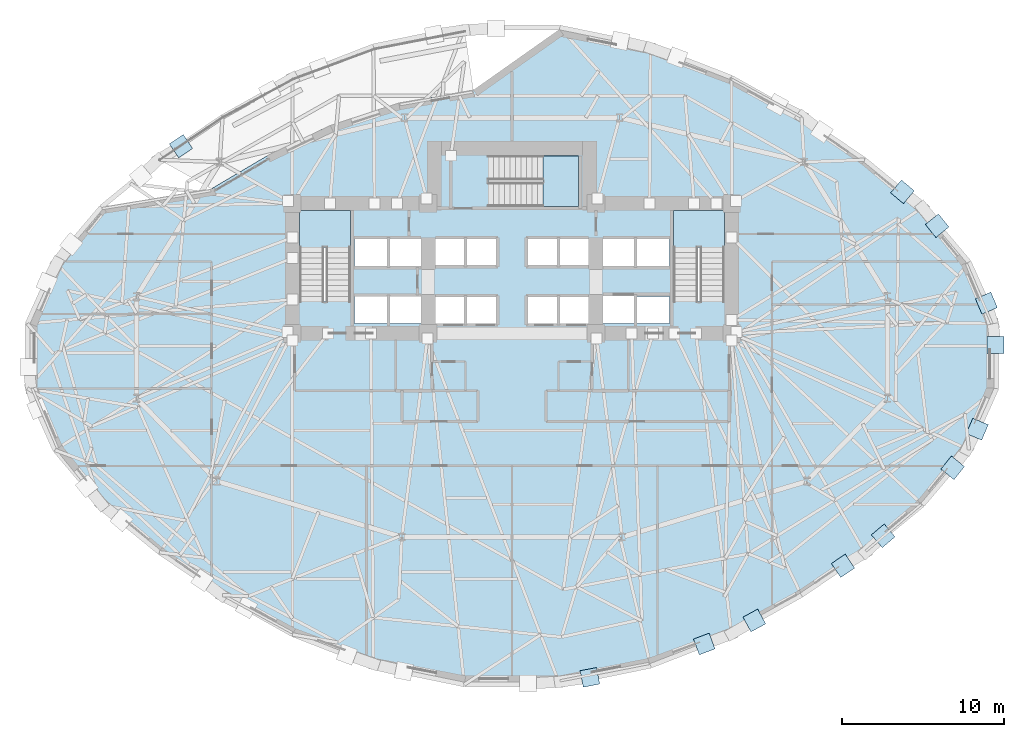
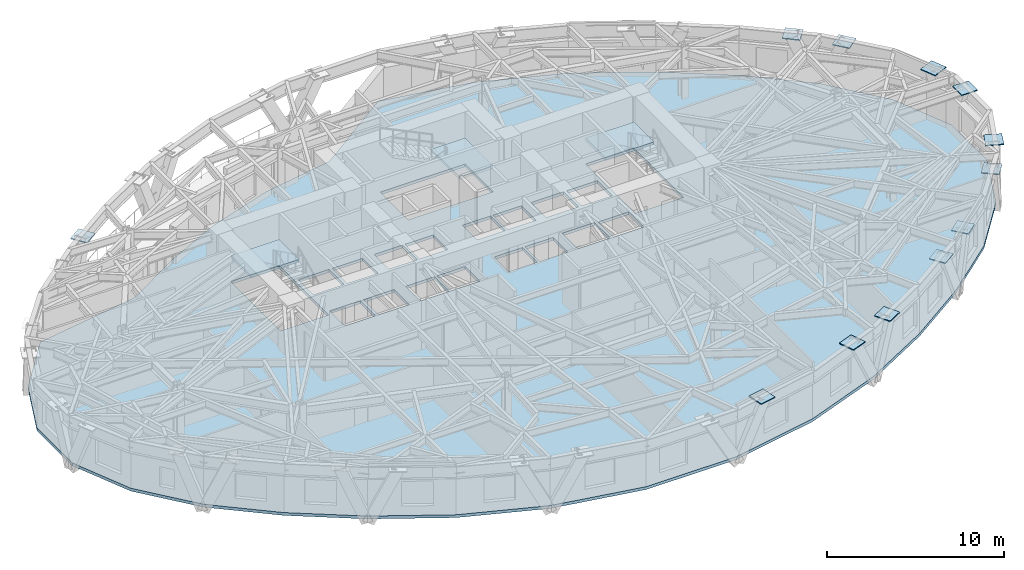
# One storey, part 8 of 17: 12 plates, 4 slabs, 3 elements without a shape of their own.
"""IFC4 building model written with IfcOpenShell, lengths in metres."""

from ifc_helpers import new_model, si_unit, direction, frame, origin, origin_2d, place, context, subcontext, project, spatial, polyline, rectangle, outline, extrude, material, layer, layer_set, type_object, element, aggregate, save


model = new_model("IFC4")

# Units and contexts
model_context = context("Model", 3, precision=1e-05, world=origin(), true_north=direction((0.0, 1.0)))
body_context = subcontext(model_context, "Body", "Model", "MODEL_VIEW")
ifc_project = project(units=[si_unit("LENGTHUNIT", "METRE"), si_unit("AREAUNIT", "SQUARE_METRE"), si_unit("VOLUMEUNIT", "CUBIC_METRE"), si_unit("PLANEANGLEUNIT", "RADIAN"), si_unit("MASSUNIT", "GRAM", prefix="KILO")], contexts=[model_context])

# Site, building, storey
site_placement = place(None, origin())
site = spatial("IfcSite", under=ifc_project, at=site_placement, CompositionType="ELEMENT")
building_placement = place(site_placement, origin())
building = spatial("IfcBuilding", under=site, at=building_placement, Name="Keldmark Tower", CompositionType="ELEMENT")
storey_placement = place(building_placement, frame((0.0, 0.0, 70.199951171875)))
storey = spatial("IfcBuildingStorey", under=building, at=storey_placement, Name="L18", CompositionType="ELEMENT", Elevation=70.199951171875)

# Plates
ifc_material_1 = material(Name="Steel ASTM A572 Grade 50", Category="steel")
ifc_layer_1 = layer(ifc_material_1, 0.06494140625)
ifc_layer_set_1 = layer_set([ifc_layer_1], Name="Steel ASTM A572 Grade 50")
plate_type = type_object("IfcPlateType", Name="Diagrid Node Assembly DN02 65 mm", PredefinedType="USERDEFINED", material=ifc_layer_set_1)
for number, where, z_axis, x_axis, name in (
    (1, (29.375244140625, 3.27001953125, 3.24755859375), (0.0, 0.0, 1.0), (-0.390249099737, 0.920709313603, 0.0), "L18 Diagrid Node Assembly 01"),
    (2, (26.325439453125, 8.06640625, 3.24755859375), (0.0, 0.0, 1.0), (-0.628506220787, 0.777804557991, 0.0), "L18 Diagrid Node Assembly 02"),
    (3, (24.177001953125, 10.166259765625, 3.24755859375), (0.0, 0.0, 1.0), (-0.763570674869, 0.645724263505, 0.0), "L18 Diagrid Node Assembly 03"),
    (4, (-20.49462890625, 12.9912109375, 3.24755859375), (0.0, 0.0, 1.0), (-0.827668733006, -0.561216953062, 0.0), "L18 Diagrid Node Assembly 12"),
    (5, (4.825439453125, -19.899658203125, 3.24755859375), (0.0, 0.0, 1.0), (0.981527141537, 0.191322947989, 0.0), "L18 Diagrid Node Assembly 25"),
    (6, (11.904052734375, -17.832275390625, 3.24755859375), (0.0, 0.0, 1.0), (0.937403606985, 0.348244852958, 0.0), "L18 Diagrid Node Assembly 26"),
    (7, (15.006103515625, -16.376953125, 3.24755859375), (0.0, 0.0, 1.0), (0.878567152464, 0.477618842395, 0.0), "L18 Diagrid Node Assembly 27"),
    (8, (20.49462890625, -12.9912109375, 3.24755859375), (0.0, 0.0, 1.0), (0.827668733006, 0.561216953062, 0.0), "L18 Diagrid Node Assembly 28"),
    (9, (22.987548828125, -11.135498046875, 3.24755859375), (0.0, 0.0, 1.0), (0.763570674869, 0.645724263505, 0.0), "L18 Diagrid Node Assembly 29"),
    (10, (27.286865234375, -6.923828125, 3.24755859375), (0.0, 0.0, 1.0), (0.628506220787, 0.777804557991, 0.0), "L18 Diagrid Node Assembly 30"),
    (11, (28.808349609375, -4.53076171875, 3.24755859375), (0.0, 0.0, 1.0), (0.390249099737, 0.920709313603, 0.0), "L18 Diagrid Node Assembly 31"),
    (12, (29.9443359375, 0.673828125, 3.24755859375), (0.0, 0.0, 1.0), (0.0, 1.0, 0.0), "L18 Diagrid Node Assembly 32"),
):
    element("IfcPlate", number, at=place(storey_placement, frame(where, z_axis=z_axis, x_axis=x_axis)), inside=storey, type_object=plate_type, Name=name, ObjectType="GUSSET", PredefinedType="USERDEFINED", context=body_context, shape_type="SweptSolid", body=[
        extrude(rectangle(XDim=1.0400390625, YDim=1.0400390625, at=origin_2d()), origin(), (0.0, 0.0, 1.0), 0.06494140625),
    ])

# Slab
ifc_material_2 = material(Name="Concrete C35/45", Category="concrete")
ifc_layer_2 = layer(ifc_material_2, 0.199951171875)
ifc_layer_set_2 = layer_set([ifc_layer_2], Name="Concrete C35/45")
slab_type_1 = type_object("IfcSlabType", Name="Low-Rise Office Composite Slab 200 mm", PredefinedType="FLOOR", material=ifc_layer_set_2)
slab_1_placement = place(storey_placement, frame((0.0, 0.0, -0.199951171875)))
element("IfcSlab", 13, at=slab_1_placement, inside=storey, type_object=slab_type_1, Name="L18 Composite Structural Floor Slab", PredefinedType="FLOOR", context=body_context, shape_type="SweptSolid", body=[
    extrude(outline(polyline([(29.835693359375, 1.99267578125), (28.219970703125, 5.8046875), (25.45556640625, 9.22607421875), (21.932861328125, 12.205322265625), (18.0, 14.872314453125), (13.606201171875, 17.2607421875), (8.560302734375, 19.13525390625), (2.938720703125, 20.230712890625), (-2.392333984375, 16.47021484375), (-7.008544921875, 15.66650390625), (-11.25390625, 14.276611328125), (-15.070556640625, 12.451904296875), (-18.6123046875, 10.357421875), (-25.45556640625, 9.22607421875), (-28.219970703125, 5.8046875), (-29.835693359375, 1.99267578125), (-29.835693359375, -1.99267578125), (-28.219970703125, -5.8046875), (-25.45556640625, -9.22607421875), (-21.932861328125, -12.205322265625), (-18.0, -14.872314453125), (-13.606201171875, -17.2607421875), (-8.560302734375, -19.13525390625), (-2.938720703125, -20.230712890625), (2.938720703125, -20.230712890625), (8.560302734375, -19.13525390625), (13.606201171875, -17.2607421875), (18.0, -14.872314453125), (21.932861328125, -12.205322265625), (25.45556640625, -9.22607421875), (28.219970703125, -5.8046875), (29.835693359375, -1.99267578125), (29.835693359375, 1.99267578125)]), holes=[polyline([(-10.0, 3.385009765625), (-10.0, 9.0), (-13.14990234375, 9.0), (-13.14990234375, 3.385009765625), (-10.0, 3.385009765625)]), polyline([(13.14990234375, 3.385009765625), (13.14990234375, 9.0), (10.0, 9.0), (10.0, 3.385009765625), (13.14990234375, 3.385009765625)]), polyline([(-1.43994140625, 9.25), (4.10498046875, 9.25), (4.10498046875, 12.39990234375), (-1.43994140625, 12.39990234375), (-1.43994140625, 9.25)]), polyline([(-9.75, 2.0), (-7.75, 2.0), (-7.75, 3.699951171875), (-9.75, 3.699951171875), (-9.75, 2.0)]), polyline([(7.75, 2.0), (9.75, 2.0), (9.75, 3.699951171875), (7.75, 3.699951171875), (7.75, 2.0)]), polyline([(5.449951171875, 2.0), (7.550048828125, 2.0), (7.550048828125, 3.75), (5.449951171875, 3.75), (5.449951171875, 2.0)]), polyline([(-4.800048828125, 2.0), (-2.949951171875, 2.0), (-2.949951171875, 3.64990234375), (-4.800048828125, 3.64990234375), (-4.800048828125, 2.0)]), polyline([(-2.800048828125, 2.0), (-0.949951171875, 2.0), (-0.949951171875, 3.64990234375), (-2.800048828125, 3.64990234375), (-2.800048828125, 2.0)]), polyline([(0.949951171875, 2.0), (2.800048828125, 2.0), (2.800048828125, 3.64990234375), (0.949951171875, 3.64990234375), (0.949951171875, 2.0)]), polyline([(2.949951171875, 2.0), (4.800048828125, 2.0), (4.800048828125, 3.64990234375), (2.949951171875, 3.64990234375), (2.949951171875, 2.0)]), polyline([(-4.800048828125, 5.60009765625), (-2.949951171875, 5.60009765625), (-2.949951171875, 7.25), (-4.800048828125, 7.25), (-4.800048828125, 5.60009765625)]), polyline([(-2.800048828125, 5.60009765625), (-0.949951171875, 5.60009765625), (-0.949951171875, 7.25), (-2.800048828125, 7.25), (-2.800048828125, 5.60009765625)]), polyline([(0.949951171875, 5.60009765625), (2.800048828125, 5.60009765625), (2.800048828125, 7.25), (0.949951171875, 7.25), (0.949951171875, 5.60009765625)]), polyline([(2.949951171875, 5.60009765625), (4.800048828125, 5.60009765625), (4.800048828125, 7.25), (2.949951171875, 7.25), (2.949951171875, 5.60009765625)]), polyline([(-9.75, 5.550048828125), (-7.75, 5.550048828125), (-7.75, 7.25), (-9.75, 7.25), (-9.75, 5.550048828125)]), polyline([(-7.550048828125, 5.550048828125), (-5.550048828125, 5.550048828125), (-5.550048828125, 7.25), (-7.550048828125, 7.25), (-7.550048828125, 5.550048828125)]), polyline([(-7.550048828125, 2.0), (-5.550048828125, 2.0), (-5.550048828125, 3.699951171875), (-7.550048828125, 3.699951171875), (-7.550048828125, 2.0)]), polyline([(5.449951171875, 5.550048828125), (7.550048828125, 5.550048828125), (7.550048828125, 7.25), (5.449951171875, 7.25), (5.449951171875, 5.550048828125)]), polyline([(7.75, 5.550048828125), (9.75, 5.550048828125), (9.75, 7.25), (7.75, 7.25), (7.75, 5.550048828125)])]), origin(), (0.0, 0.0, 1.0), 0.199951171875),
])

# Stair, slab
ifc_material_3 = material(Name="Concrete C40/50", Category="concrete")
stair_type = type_object("IfcStairType", Name="Precast Concrete Core Exit Stair", PredefinedType="HALF_TURN_STAIR", material=ifc_material_3)
stair_1_placement = place(storey_placement, origin())
stair_1 = element("IfcStair", 14, at=stair_1_placement, inside=storey, type_object=stair_type, Name="L18 Exit Stair ST1", PredefinedType="HALF_TURN_STAIR")
ifc_material_4 = material(Name="Concrete C40/50", Category="concrete")
ifc_layer_3 = layer(ifc_material_4, 0.199951171875)
ifc_layer_set_3 = layer_set([ifc_layer_3], Name="Concrete C40/50")
slab_type_2 = type_object("IfcSlabType", Name="Reinforced Concrete Stair Landing 200 mm", PredefinedType="LANDING", material=ifc_layer_set_3)
slab_2_placement = place(storey_placement, frame((0.0, 0.0, 1.60009765625)))
slab_2 = element("IfcSlab", 15, at=slab_2_placement, type_object=slab_type_2, Name="ST1 landing 1", PredefinedType="LANDING", context=body_context, shape_type="SweptSolid", body=[
    extrude(outline(polyline([(-10.0, 6.72998046875), (-10.0, 9.0), (-13.14990234375, 9.0), (-13.14990234375, 6.72998046875), (-10.0, 6.72998046875)])), origin(), (0.0, 0.0, 1.0), 0.199951171875),
])
aggregate(stair_1, [slab_2])

stair_2_placement = place(storey_placement, origin())
stair_2 = element("IfcStair", 16, at=stair_2_placement, inside=storey, type_object=stair_type, Name="L18 Exit Stair ST2", PredefinedType="HALF_TURN_STAIR")
slab_3_placement = place(storey_placement, frame((0.0, 0.0, 1.60009765625)))
slab_3 = element("IfcSlab", 17, at=slab_3_placement, type_object=slab_type_2, Name="ST2 landing 1", PredefinedType="LANDING", context=body_context, shape_type="SweptSolid", body=[
    extrude(outline(polyline([(13.14990234375, 6.72998046875), (13.14990234375, 9.0), (10.0, 9.0), (10.0, 6.72998046875), (13.14990234375, 6.72998046875)])), origin(), (0.0, 0.0, 1.0), 0.199951171875),
])
aggregate(stair_2, [slab_3])

stair_3_placement = place(storey_placement, origin())
stair_3 = element("IfcStair", 18, at=stair_3_placement, inside=storey, type_object=stair_type, Name="L18 Exit Stair ST3", PredefinedType="HALF_TURN_STAIR")
slab_4_placement = place(storey_placement, frame((0.0, 0.0, 1.60009765625)))
slab_4 = element("IfcSlab", 19, at=slab_4_placement, type_object=slab_type_2, Name="ST3 landing 1", PredefinedType="LANDING", context=body_context, shape_type="SweptSolid", body=[
    extrude(outline(polyline([(1.905029296875, 9.25), (4.10498046875, 9.25), (4.10498046875, 12.39990234375), (1.905029296875, 12.39990234375), (1.905029296875, 9.25)])), origin(), (0.0, 0.0, 1.0), 0.199951171875),
])
aggregate(stair_3, [slab_4])

save(model, "model.ifc")
